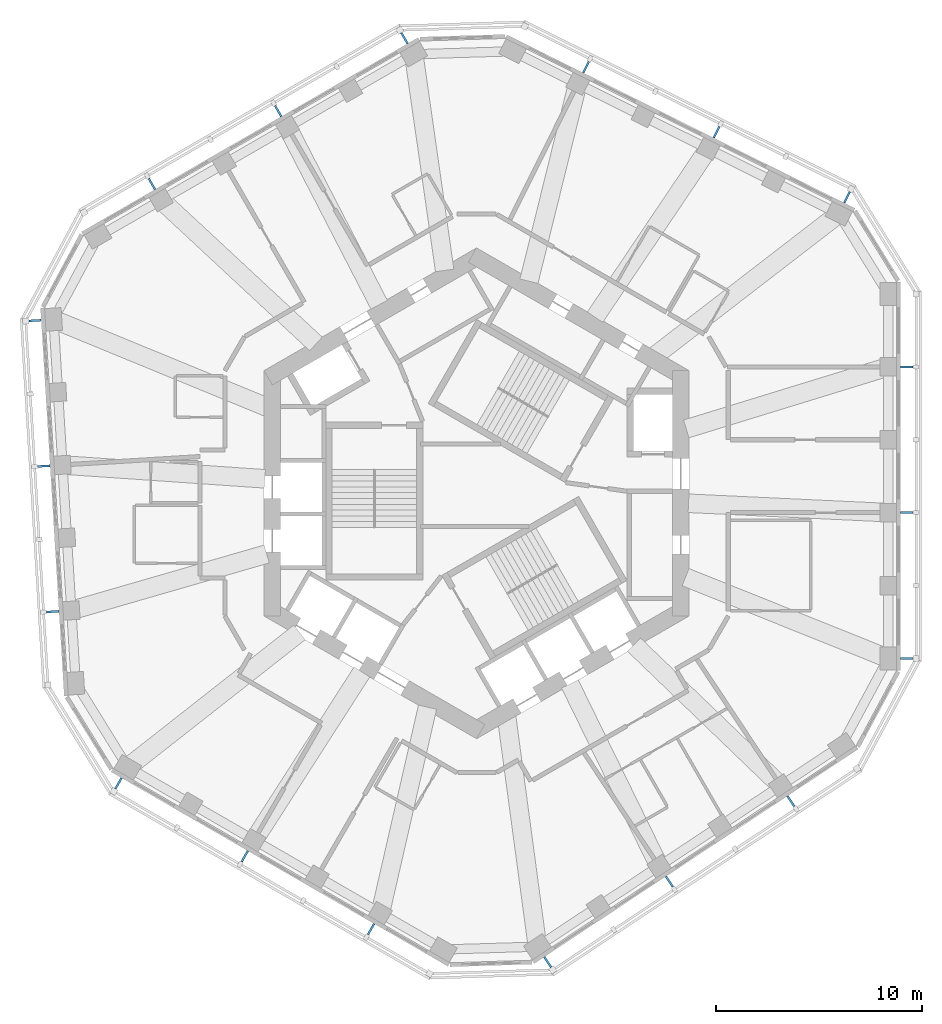
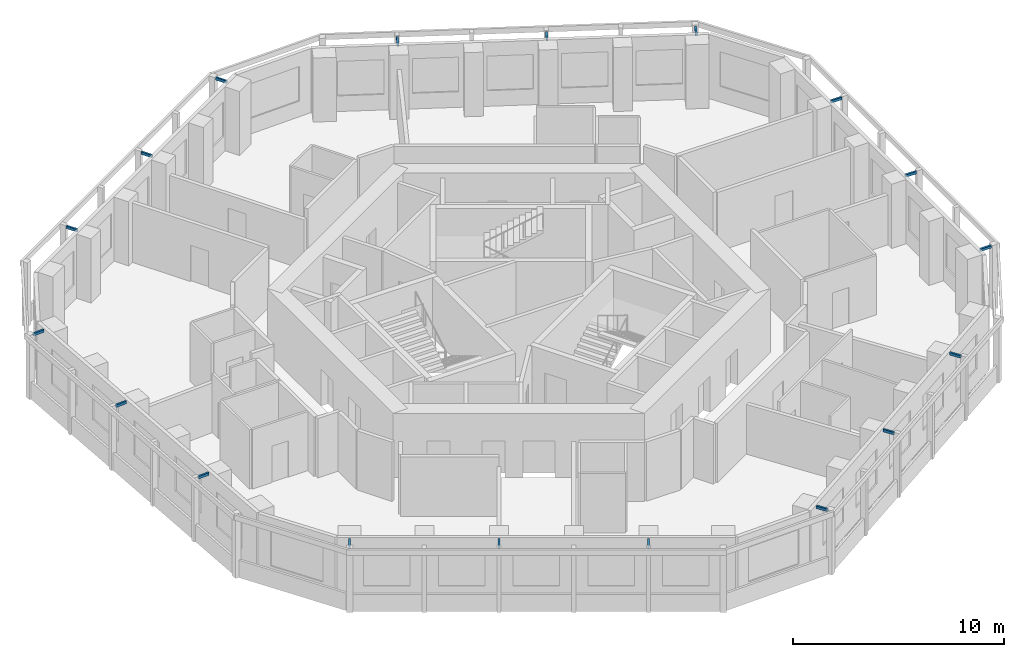
# One storey, part 10 of 11: 18 discrete accessories.
"""IFC4 building model written with IfcOpenShell, lengths in metres."""

from ifc_helpers import new_model, si_unit, direction, frame, origin, origin_2d, place, context, subcontext, project, spatial, rectangle, extrude, material, type_object, element, save


model = new_model("IFC4")

# Units and contexts
model_context = context("Model", 3, precision=1e-05, world=origin(), true_north=direction((0.0, 1.0)))
body_context = subcontext(model_context, "Body", "Model", "MODEL_VIEW")
ifc_project = project(units=[si_unit("LENGTHUNIT", "METRE"), si_unit("AREAUNIT", "SQUARE_METRE"), si_unit("VOLUMEUNIT", "CUBIC_METRE"), si_unit("PLANEANGLEUNIT", "RADIAN"), si_unit("MASSUNIT", "GRAM", prefix="KILO")], contexts=[model_context])

# Site, building, storey
site_placement = place(None, origin())
site = spatial("IfcSite", under=ifc_project, at=site_placement, CompositionType="ELEMENT")
building_placement = place(site_placement, origin())
building = spatial("IfcBuilding", under=site, at=building_placement, Name="Vanh Sen Convention Tower", CompositionType="ELEMENT")
storey_placement = place(building_placement, frame((0.0, 0.0, 240.199951171875)))
storey = spatial("IfcBuildingStorey", under=building, at=storey_placement, Name="L59", CompositionType="ELEMENT", Elevation=240.199951171875)

# Discrete accessories
ifc_material = material(Name="Steel S355", Category="steel")
discrete_accessory_type = type_object("IfcDiscreteAccessoryType", Name="Fin bracket 100 x 150", PredefinedType="BRACKET", material=ifc_material)
for number, where, z_axis, x_axis, name in (
    (1, (20.85009765625, -8.002685546875, 3.5), (0.0, 0.0, 1.0), (1.0, 0.0, 0.0), "Fin bracket E-1 L59"),
    (2, (20.85009765625, -0.935546875, 3.5), (0.0, 0.0, 1.0), (1.0, 0.0, 0.0), "Fin bracket E-3 L59"),
    (3, (20.85009765625, 6.131591796875, 3.5), (0.0, 0.0, 1.0), (1.0, 0.0, 0.0), "Fin bracket E-5 L59"),
    (4, (17.953125, 14.3466796875, 3.5), (0.0, 0.0, 1.0), (0.44619781311, 0.894934361602, 0.0), "Fin bracket NE-1 L59"),
    (5, (11.62841796875, 17.5, 3.5), (0.0, 0.0, 1.0), (0.44619781311, 0.894934361602, 0.0), "Fin bracket NE-3 L59"),
    (6, (5.3037109375, 20.653564453125, 3.5), (0.0, 0.0, 1.0), (0.44619781311, 0.894934361602, 0.0), "Fin bracket NE-5 L59"),
    (7, (-3.494384765625, 22.05810546875, 3.5), (0.0, 0.0, 1.0), (-0.5, 0.866025403784, 0.0), "Fin bracket NW-1 L59"),
    (8, (-9.61474609375, 18.5244140625, 3.5), (0.0, 0.0, 1.0), (-0.5, 0.866025403784, 0.0), "Fin bracket NW-3 L59"),
    (9, (-15.735107421875, 14.99072265625, 3.5), (0.0, 0.0, 1.0), (-0.5, 0.866025403784, 0.0), "Fin bracket NW-5 L59"),
    (10, (-21.401123046875, 8.37451171875, 3.5), (0.0, 0.0, 1.0), (-0.998134798422, -0.061048539535, 0.0), "Fin bracket W-1 L59"),
    (11, (-20.9697265625, 1.3203125, 3.5), (0.0, 0.0, 1.0), (-0.998134798422, -0.061048539535, 0.0), "Fin bracket W-3 L59"),
    (12, (-20.538330078125, -5.733642578125, 3.5), (0.0, 0.0, 1.0), (-0.998134798422, -0.061048539535, 0.0), "Fin bracket W-5 L59"),
    (13, (-17.355712890625, -14.05517578125, 3.5), (0.0, 0.0, 1.0), (-0.5, -0.866025403784, 0.0), "Fin bracket SW-1 L59"),
    (14, (-11.235107421875, -17.5888671875, 3.5), (0.0, 0.0, 1.0), (-0.5, -0.866025403784, 0.0), "Fin bracket SW-3 L59"),
    (15, (-5.11474609375, -21.12255859375, 3.5), (0.0, 0.0, 1.0), (-0.5, -0.866025403784, 0.0), "Fin bracket SW-5 L59"),
    (16, (3.447998046875, -22.72119140625, 3.5), (0.0, 0.0, 1.0), (0.551936985312, -0.833885822067, 0.0), "Fin bracket SE-1 L59"),
    (17, (9.34130859375, -18.820556640625, 3.5), (0.0, 0.0, 1.0), (0.551936985312, -0.833885822067, 0.0), "Fin bracket SE-3 L59"),
    (18, (15.234619140625, -14.919921875, 3.5), (0.0, 0.0, 1.0), (0.551936985312, -0.833885822067, 0.0), "Fin bracket SE-5 L59"),
):
    element("IfcDiscreteAccessory", number, at=place(storey_placement, frame(where, z_axis=z_axis, x_axis=x_axis)), inside=storey, type_object=discrete_accessory_type, Name=name, PredefinedType="BRACKET", context=body_context, shape_type="SweptSolid", body=[
        extrude(rectangle(XDim=0.60009765625, YDim=0.10009765625, at=origin_2d()), origin(), (0.0, 0.0, 1.0), 0.14990234375),
    ])

save(model, "model.ifc")
